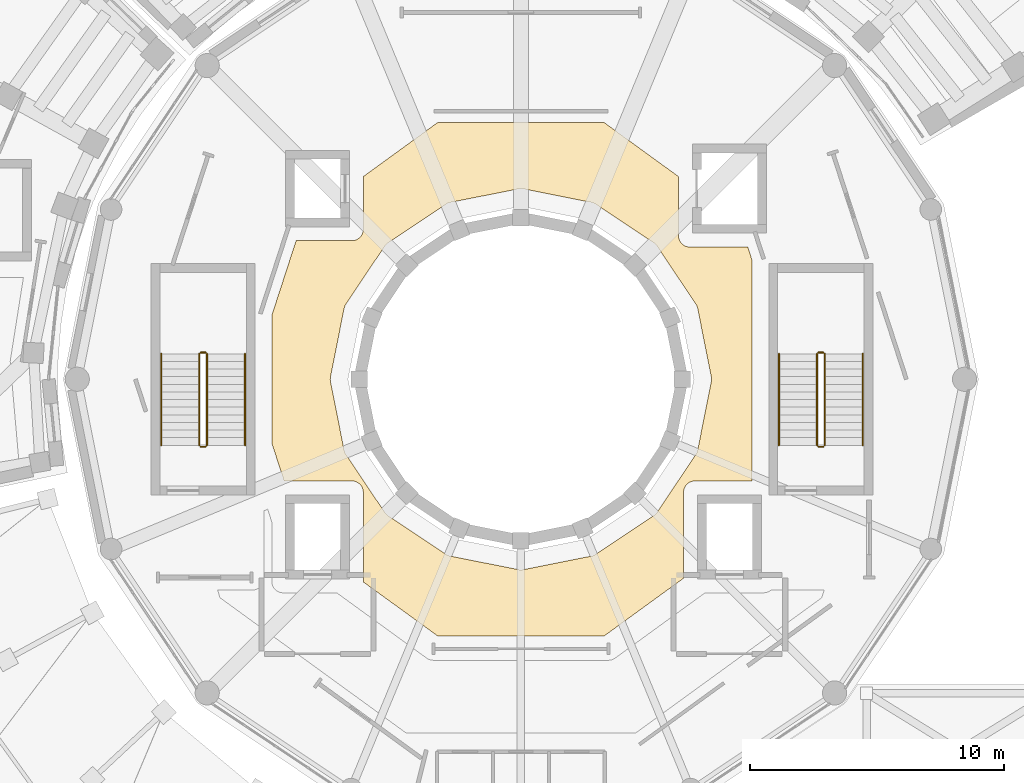
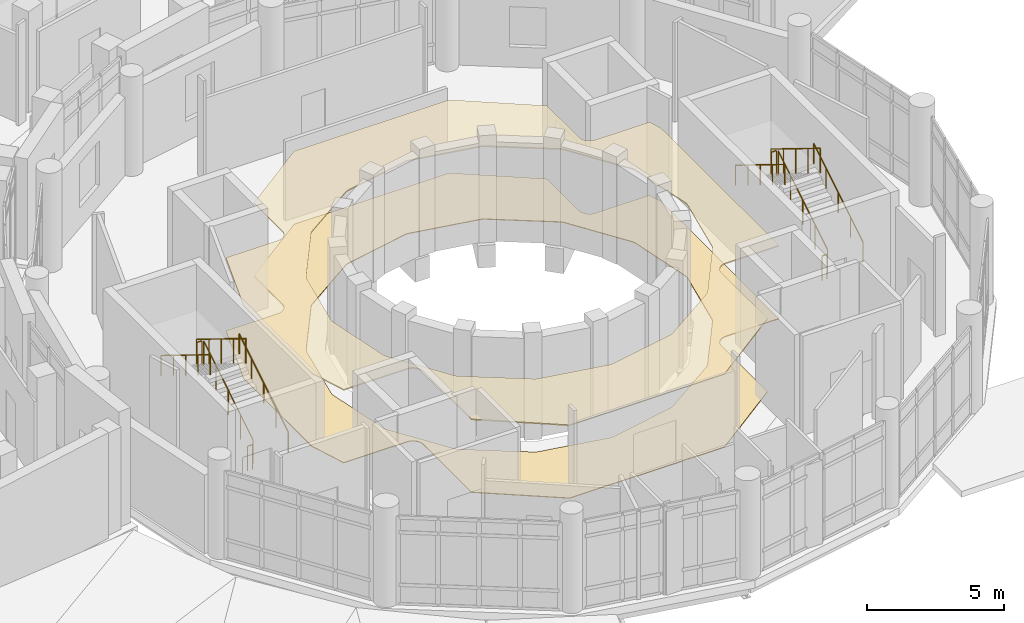
# One storey, part 63 of 75: 12 railings, 2 coverings.
"""IFC4 building model written with IfcOpenShell, lengths in metres."""

from ifc_helpers import new_model, si_unit, direction, frame, origin, origin_2d, place, context, subcontext, project, spatial, polyline, circle, outline, extrude, material, layer, layer_set, type_object, element, save


model = new_model("IFC4")

# Units and contexts
model_context = context("Model", 3, precision=1e-05, world=origin(), true_north=direction((0.0, 1.0)))
body_context = subcontext(model_context, "Body", "Model", "MODEL_VIEW")
ifc_project = project(units=[si_unit("LENGTHUNIT", "METRE"), si_unit("AREAUNIT", "SQUARE_METRE"), si_unit("VOLUMEUNIT", "CUBIC_METRE"), si_unit("PLANEANGLEUNIT", "RADIAN"), si_unit("MASSUNIT", "GRAM", prefix="KILO")], contexts=[model_context])

# Site, building, storey
site_placement = place(None, origin())
site = spatial("IfcSite", under=ifc_project, at=site_placement, CompositionType="ELEMENT")
building_placement = place(site_placement, origin())
building = spatial("IfcBuilding", under=site, at=building_placement, Name="Soyqirgoq Riverine Aquarium", CompositionType="ELEMENT")
storey_placement = place(building_placement, frame((0.0, 0.0, 10.199951171875)))
storey = spatial("IfcBuildingStorey", under=building, at=storey_placement, Name="L03", CompositionType="ELEMENT", Elevation=10.199951171875)

# Covering
ifc_material_1 = material(Name="Perforated mineral-fibre acoustic ceiling", Category="gypsum")
ifc_layer_1 = layer(ifc_material_1, 0.050048828125)
ifc_layer_set_1 = layer_set([ifc_layer_1], Name="Perforated mineral-fibre acoustic ceiling")
covering_type_1 = type_object("IfcCoveringType", Name="AcousticBaffleCeiling_50", PredefinedType="CEILING", material=ifc_layer_set_1)
covering_1_placement = place(storey_placement, frame((0.0, 0.0, 3.25)))
element("IfcCovering", 1, at=covering_1_placement, inside=storey, type_object=covering_type_1, Name="Kelp Canopy Viewing Terrace Room Suspended Ceiling", PredefinedType="CEILING", context=body_context, shape_type="SweptSolid", body=[
    extrude(outline(polyline([(46.199951171875, 54.49609375), (46.199951171875, 59.50390625), (47.156982421875, 62.449951171875), (49.35009765625, 62.449951171875), (49.39404296875, 62.451904296875), (49.43798828125, 62.458984375), (49.48095703125, 62.468994140625), (49.52197265625, 62.48388671875), (49.56201171875, 62.5029296875), (49.60009765625, 62.52587890625), (49.635009765625, 62.552001953125), (49.66796875, 62.58203125), (49.697998046875, 62.614990234375), (49.72412109375, 62.64990234375), (49.7470703125, 62.68798828125), (49.76611328125, 62.72802734375), (49.781005859375, 62.76904296875), (49.791015625, 62.81201171875), (49.798095703125, 62.85595703125), (49.800048828125, 62.89990234375), (49.800048828125, 64.972900390625), (52.719970703125, 67.093994140625), (59.280029296875, 67.093994140625), (62.199951171875, 64.972900390625), (62.199951171875, 62.64990234375), (62.201904296875, 62.60595703125), (62.208984375, 62.56201171875), (62.218994140625, 62.51904296875), (62.23388671875, 62.47802734375), (62.2529296875, 62.43798828125), (62.27587890625, 62.39990234375), (62.302001953125, 62.364990234375), (62.33203125, 62.33203125), (62.364990234375, 62.302001953125), (62.39990234375, 62.27587890625), (62.43798828125, 62.2529296875), (62.47802734375, 62.23388671875), (62.51904296875, 62.218994140625), (62.56201171875, 62.208984375), (62.60595703125, 62.201904296875), (62.64990234375, 62.199951171875), (64.924072265625, 62.199951171875), (65.10009765625, 61.658935546875), (65.10009765625, 53.0), (62.85009765625, 53.0), (62.805908203125, 52.998046875), (62.761962890625, 52.990966796875), (62.718994140625, 52.98095703125), (62.677978515625, 52.966064453125), (62.637939453125, 52.947021484375), (62.60009765625, 52.924072265625), (62.56494140625, 52.89794921875), (62.531982421875, 52.867919921875), (62.501953125, 52.8349609375), (62.47607421875, 52.800048828125), (62.452880859375, 52.761962890625), (62.43408203125, 52.721923828125), (62.4189453125, 52.680908203125), (62.408935546875, 52.637939453125), (62.402099609375, 52.593994140625), (62.39990234375, 52.550048828125), (62.39990234375, 49.173095703125), (59.280029296875, 46.906005859375), (52.719970703125, 46.906005859375), (49.799072265625, 49.028076171875), (49.800048828125, 49.050048828125), (49.800048828125, 52.550048828125), (49.798095703125, 52.593994140625), (49.791015625, 52.637939453125), (49.781005859375, 52.680908203125), (49.76611328125, 52.721923828125), (49.7470703125, 52.761962890625), (49.72412109375, 52.800048828125), (49.697998046875, 52.8349609375), (49.66796875, 52.867919921875), (49.635009765625, 52.89794921875), (49.60009765625, 52.924072265625), (49.56201171875, 52.947021484375), (49.52197265625, 52.966064453125), (49.48095703125, 52.98095703125), (49.43798828125, 52.990966796875), (49.39404296875, 52.998046875), (49.35009765625, 53.0), (46.68603515625, 53.0), (46.199951171875, 54.49609375)]), holes=[polyline([(62.955078125, 54.214111328125), (62.944091796875, 54.1708984375), (62.928955078125, 54.1298828125), (62.909912109375, 54.090087890625), (62.887939453125, 54.052001953125), (61.35888671875, 51.764892578125), (61.3330078125, 51.72900390625), (61.302978515625, 51.697021484375), (61.27099609375, 51.6669921875), (61.235107421875, 51.64111328125), (58.947998046875, 50.112060546875), (58.909912109375, 50.090087890625), (58.8701171875, 50.071044921875), (58.8291015625, 50.055908203125), (58.785888671875, 50.044921875), (56.087890625, 49.509033203125), (56.0439453125, 49.501953125), (56.0, 49.5), (55.9560546875, 49.501953125), (55.912109375, 49.509033203125), (53.214111328125, 50.044921875), (53.1708984375, 50.055908203125), (53.1298828125, 50.071044921875), (53.090087890625, 50.090087890625), (53.052001953125, 50.112060546875), (50.764892578125, 51.64111328125), (50.72900390625, 51.6669921875), (50.697021484375, 51.697021484375), (50.6669921875, 51.72900390625), (50.64111328125, 51.764892578125), (49.112060546875, 54.052001953125), (49.090087890625, 54.090087890625), (49.071044921875, 54.1298828125), (49.055908203125, 54.1708984375), (49.044921875, 54.214111328125), (48.509033203125, 56.912109375), (48.501953125, 56.9560546875), (48.5, 57.0), (48.501953125, 57.0439453125), (48.509033203125, 57.087890625), (49.044921875, 59.785888671875), (49.055908203125, 59.8291015625), (49.071044921875, 59.8701171875), (49.090087890625, 59.909912109375), (49.112060546875, 59.947998046875), (50.64111328125, 62.235107421875), (50.6669921875, 62.27099609375), (50.697021484375, 62.302978515625), (50.72900390625, 62.3330078125), (50.764892578125, 62.35888671875), (53.052001953125, 63.887939453125), (53.090087890625, 63.909912109375), (53.1298828125, 63.928955078125), (53.1708984375, 63.944091796875), (53.214111328125, 63.955078125), (55.912109375, 64.490966796875), (55.9560546875, 64.498046875), (56.0, 64.5), (56.0439453125, 64.498046875), (56.087890625, 64.490966796875), (58.785888671875, 63.955078125), (58.8291015625, 63.944091796875), (58.8701171875, 63.928955078125), (58.909912109375, 63.909912109375), (58.947998046875, 63.887939453125), (61.235107421875, 62.35888671875), (61.27099609375, 62.3330078125), (61.302978515625, 62.302978515625), (61.3330078125, 62.27099609375), (61.35888671875, 62.235107421875), (62.887939453125, 59.947998046875), (62.909912109375, 59.909912109375), (62.928955078125, 59.8701171875), (62.944091796875, 59.8291015625), (62.955078125, 59.785888671875), (63.490966796875, 57.087890625), (63.498046875, 57.0439453125), (63.5, 57.0), (63.498046875, 56.9560546875), (63.490966796875, 56.912109375), (62.955078125, 54.214111328125)])]), origin(), (0.0, 0.0, 1.0), 0.050048828125),
])

# Railings
ifc_material_2 = material(Name="Brushed stainless steel 316L tubular handrail", Category="steel")
railing_type_1 = type_object("IfcRailingType", Name="StairPitchHandrail_920", PredefinedType="HANDRAIL", material=ifc_material_2)
railing_1_placement = place(storey_placement, frame((69.449951171875, 54.39990234375, 0.1845703125)))
element("IfcRailing", 2, at=railing_1_placement, inside=storey, type_object=railing_type_1, Name="L03 ST-1 stair handrail 1", PredefinedType="HANDRAIL", context=body_context, shape_type="SweptSolid", body=[
    extrude(circle(Radius=0.02392578125, at=origin_2d()), frame((0.0, 0.0, 0.89990234375), z_axis=(0.0, 0.851644435552, 0.524119981868), x_axis=(-1.0, 0.0, 0.0)), (0.0, 0.0, 1.0), 4.227294921875),
    extrude(circle(Radius=0.02099609375, at=origin_2d()), origin(), (0.0, 0.0, 1.0), 0.875732421875),
    extrude(circle(Radius=0.02099609375, at=origin_2d()), frame((0.0, 0.89990234375, 0.553955078125)), (0.0, 0.0, 1.0), 0.875732421875),
    extrude(circle(Radius=0.02099609375, at=origin_2d()), frame((0.0, 1.800048828125, 1.10791015625)), (0.0, 0.0, 1.0), 0.875732421875),
    extrude(circle(Radius=0.02099609375, at=origin_2d()), frame((0.0, 2.7001953125, 1.66162109375)), (0.0, 0.0, 1.0), 0.875732421875),
    extrude(circle(Radius=0.02099609375, at=origin_2d()), frame((0.0, 3.60009765625, 2.215576171875)), (0.0, 0.0, 1.0), 0.875732421875),
])
railing_2_placement = place(storey_placement, frame((66.14990234375, 58.0, 2.584716796875)))
element("IfcRailing", 3, at=railing_2_placement, inside=storey, type_object=railing_type_1, Name="L03 ST-1 stair handrail 2", PredefinedType="HANDRAIL", context=body_context, shape_type="SweptSolid", body=[
    extrude(circle(Radius=0.02392578125, at=origin_2d()), frame((0.0, 0.0, 0.89990234375), z_axis=(0.0, -0.85167021472, 0.524078090897), x_axis=(1.0, 0.0, 0.0)), (0.0, 0.0, 1.0), 4.22705078125),
    extrude(circle(Radius=0.02099609375, at=origin_2d()), origin(), (0.0, 0.0, 1.0), 0.875732421875),
    extrude(circle(Radius=0.02099609375, at=origin_2d()), frame((0.0, -0.89990234375, 0.5537109375)), (0.0, 0.0, 1.0), 0.875732421875),
    extrude(circle(Radius=0.02099609375, at=origin_2d()), frame((0.0, -1.800048828125, 1.107666015625)), (0.0, 0.0, 1.0), 0.875732421875),
    extrude(circle(Radius=0.02099609375, at=origin_2d()), frame((0.0, -2.7001953125, 1.66162109375)), (0.0, 0.0, 1.0), 0.875732421875),
    extrude(circle(Radius=0.02099609375, at=origin_2d()), frame((0.0, -3.60009765625, 2.21533203125)), (0.0, 0.0, 1.0), 0.875732421875),
])
railing_3_placement = place(storey_placement, frame((45.14990234375, 54.39990234375, 0.1845703125)))
element("IfcRailing", 4, at=railing_3_placement, inside=storey, type_object=railing_type_1, Name="L03 ST-9 stair handrail 1", PredefinedType="HANDRAIL", context=body_context, shape_type="SweptSolid", body=[
    extrude(circle(Radius=0.02392578125, at=origin_2d()), frame((0.0, 0.0, 0.89990234375), z_axis=(0.0, 0.851644435552, 0.524119981868), x_axis=(-1.0, 0.0, 0.0)), (0.0, 0.0, 1.0), 4.227294921875),
    extrude(circle(Radius=0.02099609375, at=origin_2d()), origin(), (0.0, 0.0, 1.0), 0.875732421875),
    extrude(circle(Radius=0.02099609375, at=origin_2d()), frame((0.0, 0.89990234375, 0.553955078125)), (0.0, 0.0, 1.0), 0.875732421875),
    extrude(circle(Radius=0.02099609375, at=origin_2d()), frame((0.0, 1.800048828125, 1.10791015625)), (0.0, 0.0, 1.0), 0.875732421875),
    extrude(circle(Radius=0.02099609375, at=origin_2d()), frame((0.0, 2.7001953125, 1.66162109375)), (0.0, 0.0, 1.0), 0.875732421875),
    extrude(circle(Radius=0.02099609375, at=origin_2d()), frame((0.0, 3.60009765625, 2.215576171875)), (0.0, 0.0, 1.0), 0.875732421875),
])
railing_4_placement = place(storey_placement, frame((41.85009765625, 58.0, 2.584716796875)))
element("IfcRailing", 5, at=railing_4_placement, inside=storey, type_object=railing_type_1, Name="L03 ST-9 stair handrail 2", PredefinedType="HANDRAIL", context=body_context, shape_type="SweptSolid", body=[
    extrude(circle(Radius=0.02392578125, at=origin_2d()), frame((0.0, 0.0, 0.89990234375), z_axis=(0.0, -0.85167021472, 0.524078090897), x_axis=(1.0, 0.0, 0.0)), (0.0, 0.0, 1.0), 4.22705078125),
    extrude(circle(Radius=0.02099609375, at=origin_2d()), origin(), (0.0, 0.0, 1.0), 0.875732421875),
    extrude(circle(Radius=0.02099609375, at=origin_2d()), frame((0.0, -0.89990234375, 0.5537109375)), (0.0, 0.0, 1.0), 0.875732421875),
    extrude(circle(Radius=0.02099609375, at=origin_2d()), frame((0.0, -1.800048828125, 1.107666015625)), (0.0, 0.0, 1.0), 0.875732421875),
    extrude(circle(Radius=0.02099609375, at=origin_2d()), frame((0.0, -2.7001953125, 1.66162109375)), (0.0, 0.0, 1.0), 0.875732421875),
    extrude(circle(Radius=0.02099609375, at=origin_2d()), frame((0.0, -3.60009765625, 2.21533203125)), (0.0, 0.0, 1.0), 0.875732421875),
])
ifc_material_3 = material(Name="Painted steel infill stair-well guardrail", Category="steel")
railing_type_2 = type_object("IfcRailingType", Name="StairWellGuard_1120", PredefinedType="GUARDRAIL", material=ifc_material_3)
railing_5_placement = place(storey_placement, frame((67.949951171875, 54.39990234375, 0.1845703125)))
element("IfcRailing", 6, at=railing_5_placement, inside=storey, type_object=railing_type_2, Name="L03 ST-1 stair guard 1", PredefinedType="GUARDRAIL", context=body_context, shape_type="SweptSolid", body=[
    extrude(circle(Radius=0.02392578125, at=origin_2d()), frame((0.0, 0.0, 1.09619140625), z_axis=(0.0, 0.851644435552, 0.524119981868), x_axis=(-1.0, 0.0, 0.0)), (0.0, 0.0, 1.0), 4.227294921875),
    extrude(circle(Radius=0.02099609375, at=origin_2d()), origin(), (0.0, 0.0, 1.0), 1.072021484375),
    extrude(circle(Radius=0.02099609375, at=origin_2d()), frame((0.0, 0.89990234375, 0.553955078125)), (0.0, 0.0, 1.0), 1.072021484375),
    extrude(circle(Radius=0.02099609375, at=origin_2d()), frame((0.0, 1.800048828125, 1.10791015625)), (0.0, 0.0, 1.0), 1.072021484375),
    extrude(circle(Radius=0.02099609375, at=origin_2d()), frame((0.0, 2.7001953125, 1.66162109375)), (0.0, 0.0, 1.0), 1.072021484375),
    extrude(circle(Radius=0.02099609375, at=origin_2d()), frame((0.0, 3.60009765625, 2.215576171875)), (0.0, 0.0, 1.0), 1.072021484375),
])
railing_6_placement = place(storey_placement, frame((67.89990234375, 58.050048828125, 2.400146484375)))
element("IfcRailing", 7, at=railing_6_placement, inside=storey, type_object=railing_type_2, Name="L03 ST-1 stair guard 2", PredefinedType="GUARDRAIL", context=body_context, shape_type="SweptSolid", body=[
    extrude(circle(Radius=0.02392578125, at=origin_2d()), frame((0.0, 0.0, 1.09619140625), z_axis=(-1.0, 0.0, 0.0), x_axis=(0.0, -1.0, 0.0)), (0.0, 0.0, 1.0), 0.199951171875),
    extrude(circle(Radius=0.02099609375, at=origin_2d()), origin(), (0.0, 0.0, 1.0), 1.072021484375),
    extrude(circle(Radius=0.02099609375, at=origin_2d()), frame((-0.199951171875, 0.0, 0.0)), (0.0, 0.0, 1.0), 1.072021484375),
])
railing_7_placement = place(storey_placement, frame((67.64990234375, 58.0, 2.584716796875)))
element("IfcRailing", 8, at=railing_7_placement, inside=storey, type_object=railing_type_2, Name="L03 ST-1 stair guard 3", PredefinedType="GUARDRAIL", context=body_context, shape_type="SweptSolid", body=[
    extrude(circle(Radius=0.02392578125, at=origin_2d()), frame((0.0, 0.0, 1.09619140625), z_axis=(0.0, -0.85167021472, 0.524078090897), x_axis=(1.0, 0.0, 0.0)), (0.0, 0.0, 1.0), 4.22705078125),
    extrude(circle(Radius=0.02099609375, at=origin_2d()), origin(), (0.0, 0.0, 1.0), 1.072021484375),
    extrude(circle(Radius=0.02099609375, at=origin_2d()), frame((0.0, -0.89990234375, 0.5537109375)), (0.0, 0.0, 1.0), 1.072021484375),
    extrude(circle(Radius=0.02099609375, at=origin_2d()), frame((0.0, -1.800048828125, 1.107666015625)), (0.0, 0.0, 1.0), 1.072021484375),
    extrude(circle(Radius=0.02099609375, at=origin_2d()), frame((0.0, -2.7001953125, 1.66162109375)), (0.0, 0.0, 1.0), 1.072021484375),
    extrude(circle(Radius=0.02099609375, at=origin_2d()), frame((0.0, -3.60009765625, 2.21533203125)), (0.0, 0.0, 1.0), 1.072021484375),
])
railing_8_placement = place(storey_placement, frame((67.89990234375, 54.35009765625, 0.0)))
element("IfcRailing", 9, at=railing_8_placement, inside=storey, type_object=railing_type_2, Name="L03 ST-1 stair guard 4", PredefinedType="GUARDRAIL", context=body_context, shape_type="SweptSolid", body=[
    extrude(circle(Radius=0.02392578125, at=origin_2d()), frame((0.0, 0.0, 1.09619140625), z_axis=(-1.0, 0.0, 0.0), x_axis=(0.0, -1.0, 0.0)), (0.0, 0.0, 1.0), 0.199951171875),
    extrude(circle(Radius=0.02099609375, at=origin_2d()), origin(), (0.0, 0.0, 1.0), 1.072021484375),
    extrude(circle(Radius=0.02099609375, at=origin_2d()), frame((-0.199951171875, 0.0, 0.0)), (0.0, 0.0, 1.0), 1.072021484375),
])
railing_9_placement = place(storey_placement, frame((43.64990234375, 54.39990234375, 0.1845703125)))
element("IfcRailing", 10, at=railing_9_placement, inside=storey, type_object=railing_type_2, Name="L03 ST-9 stair guard 1", PredefinedType="GUARDRAIL", context=body_context, shape_type="SweptSolid", body=[
    extrude(circle(Radius=0.02392578125, at=origin_2d()), frame((0.0, 0.0, 1.09619140625), z_axis=(0.0, 0.851644435552, 0.524119981868), x_axis=(-1.0, 0.0, 0.0)), (0.0, 0.0, 1.0), 4.227294921875),
    extrude(circle(Radius=0.02099609375, at=origin_2d()), origin(), (0.0, 0.0, 1.0), 1.072021484375),
    extrude(circle(Radius=0.02099609375, at=origin_2d()), frame((0.0, 0.89990234375, 0.553955078125)), (0.0, 0.0, 1.0), 1.072021484375),
    extrude(circle(Radius=0.02099609375, at=origin_2d()), frame((0.0, 1.800048828125, 1.10791015625)), (0.0, 0.0, 1.0), 1.072021484375),
    extrude(circle(Radius=0.02099609375, at=origin_2d()), frame((0.0, 2.7001953125, 1.66162109375)), (0.0, 0.0, 1.0), 1.072021484375),
    extrude(circle(Radius=0.02099609375, at=origin_2d()), frame((0.0, 3.60009765625, 2.215576171875)), (0.0, 0.0, 1.0), 1.072021484375),
])
railing_10_placement = place(storey_placement, frame((43.60009765625, 58.050048828125, 2.400146484375)))
element("IfcRailing", 11, at=railing_10_placement, inside=storey, type_object=railing_type_2, Name="L03 ST-9 stair guard 2", PredefinedType="GUARDRAIL", context=body_context, shape_type="SweptSolid", body=[
    extrude(circle(Radius=0.02392578125, at=origin_2d()), frame((0.0, 0.0, 1.09619140625), z_axis=(-1.0, 0.0, 0.0), x_axis=(0.0, -1.0, 0.0)), (0.0, 0.0, 1.0), 0.2001953125),
    extrude(circle(Radius=0.02099609375, at=origin_2d()), origin(), (0.0, 0.0, 1.0), 1.072021484375),
    extrude(circle(Radius=0.02099609375, at=origin_2d()), frame((-0.2001953125, 0.0, 0.0)), (0.0, 0.0, 1.0), 1.072021484375),
])
railing_11_placement = place(storey_placement, frame((43.35009765625, 58.0, 2.584716796875)))
element("IfcRailing", 12, at=railing_11_placement, inside=storey, type_object=railing_type_2, Name="L03 ST-9 stair guard 3", PredefinedType="GUARDRAIL", context=body_context, shape_type="SweptSolid", body=[
    extrude(circle(Radius=0.02392578125, at=origin_2d()), frame((0.0, 0.0, 1.09619140625), z_axis=(0.0, -0.85167021472, 0.524078090897), x_axis=(1.0, 0.0, 0.0)), (0.0, 0.0, 1.0), 4.22705078125),
    extrude(circle(Radius=0.02099609375, at=origin_2d()), origin(), (0.0, 0.0, 1.0), 1.072021484375),
    extrude(circle(Radius=0.02099609375, at=origin_2d()), frame((0.0, -0.89990234375, 0.5537109375)), (0.0, 0.0, 1.0), 1.072021484375),
    extrude(circle(Radius=0.02099609375, at=origin_2d()), frame((0.0, -1.800048828125, 1.107666015625)), (0.0, 0.0, 1.0), 1.072021484375),
    extrude(circle(Radius=0.02099609375, at=origin_2d()), frame((0.0, -2.7001953125, 1.66162109375)), (0.0, 0.0, 1.0), 1.072021484375),
    extrude(circle(Radius=0.02099609375, at=origin_2d()), frame((0.0, -3.60009765625, 2.21533203125)), (0.0, 0.0, 1.0), 1.072021484375),
])
railing_12_placement = place(storey_placement, frame((43.60009765625, 54.35009765625, 0.0)))
element("IfcRailing", 13, at=railing_12_placement, inside=storey, type_object=railing_type_2, Name="L03 ST-9 stair guard 4", PredefinedType="GUARDRAIL", context=body_context, shape_type="SweptSolid", body=[
    extrude(circle(Radius=0.02392578125, at=origin_2d()), frame((0.0, 0.0, 1.09619140625), z_axis=(-1.0, 0.0, 0.0), x_axis=(0.0, -1.0, 0.0)), (0.0, 0.0, 1.0), 0.2001953125),
    extrude(circle(Radius=0.02099609375, at=origin_2d()), origin(), (0.0, 0.0, 1.0), 1.072021484375),
    extrude(circle(Radius=0.02099609375, at=origin_2d()), frame((-0.2001953125, 0.0, 0.0)), (0.0, 0.0, 1.0), 1.072021484375),
])

# Covering
ifc_material_4 = material(Name="Polished Chirchiq river-pebble terrazzo flooring", Category="concrete")
ifc_layer_2 = layer(ifc_material_4, 0.030029296875)
ifc_layer_set_2 = layer_set([ifc_layer_2], Name="Polished Chirchiq river-pebble terrazzo flooring")
covering_type_2 = type_object("IfcCoveringType", Name="TerrazzoFloorFinish_30", PredefinedType="FLOORING", material=ifc_layer_set_2)
covering_2_placement = place(storey_placement, origin())
element("IfcCovering", 14, at=covering_2_placement, inside=storey, type_object=covering_type_2, Name="Kelp Canopy Viewing Terrace Room Floor Finish", PredefinedType="FLOORING", context=body_context, shape_type="SweptSolid", body=[
    extrude(outline(polyline([(46.199951171875, 54.49609375), (46.199951171875, 59.50390625), (47.156982421875, 62.449951171875), (49.35009765625, 62.449951171875), (49.39404296875, 62.451904296875), (49.43798828125, 62.458984375), (49.48095703125, 62.468994140625), (49.52197265625, 62.48388671875), (49.56201171875, 62.5029296875), (49.60009765625, 62.52587890625), (49.635009765625, 62.552001953125), (49.66796875, 62.58203125), (49.697998046875, 62.614990234375), (49.72412109375, 62.64990234375), (49.7470703125, 62.68798828125), (49.76611328125, 62.72802734375), (49.781005859375, 62.76904296875), (49.791015625, 62.81201171875), (49.798095703125, 62.85595703125), (49.800048828125, 62.89990234375), (49.800048828125, 64.972900390625), (52.719970703125, 67.093994140625), (59.280029296875, 67.093994140625), (62.199951171875, 64.972900390625), (62.199951171875, 62.64990234375), (62.201904296875, 62.60595703125), (62.208984375, 62.56201171875), (62.218994140625, 62.51904296875), (62.23388671875, 62.47802734375), (62.2529296875, 62.43798828125), (62.27587890625, 62.39990234375), (62.302001953125, 62.364990234375), (62.33203125, 62.33203125), (62.364990234375, 62.302001953125), (62.39990234375, 62.27587890625), (62.43798828125, 62.2529296875), (62.47802734375, 62.23388671875), (62.51904296875, 62.218994140625), (62.56201171875, 62.208984375), (62.60595703125, 62.201904296875), (62.64990234375, 62.199951171875), (64.924072265625, 62.199951171875), (65.10009765625, 61.658935546875), (65.10009765625, 53.0), (62.85009765625, 53.0), (62.805908203125, 52.998046875), (62.761962890625, 52.990966796875), (62.718994140625, 52.98095703125), (62.677978515625, 52.966064453125), (62.637939453125, 52.947021484375), (62.60009765625, 52.924072265625), (62.56494140625, 52.89794921875), (62.531982421875, 52.867919921875), (62.501953125, 52.8349609375), (62.47607421875, 52.800048828125), (62.452880859375, 52.761962890625), (62.43408203125, 52.721923828125), (62.4189453125, 52.680908203125), (62.408935546875, 52.637939453125), (62.402099609375, 52.593994140625), (62.39990234375, 52.550048828125), (62.39990234375, 49.173095703125), (59.280029296875, 46.906005859375), (52.719970703125, 46.906005859375), (49.799072265625, 49.028076171875), (49.800048828125, 49.050048828125), (49.800048828125, 52.550048828125), (49.798095703125, 52.593994140625), (49.791015625, 52.637939453125), (49.781005859375, 52.680908203125), (49.76611328125, 52.721923828125), (49.7470703125, 52.761962890625), (49.72412109375, 52.800048828125), (49.697998046875, 52.8349609375), (49.66796875, 52.867919921875), (49.635009765625, 52.89794921875), (49.60009765625, 52.924072265625), (49.56201171875, 52.947021484375), (49.52197265625, 52.966064453125), (49.48095703125, 52.98095703125), (49.43798828125, 52.990966796875), (49.39404296875, 52.998046875), (49.35009765625, 53.0), (46.68603515625, 53.0), (46.199951171875, 54.49609375)]), holes=[polyline([(62.955078125, 54.214111328125), (62.944091796875, 54.1708984375), (62.928955078125, 54.1298828125), (62.909912109375, 54.090087890625), (62.887939453125, 54.052001953125), (61.35888671875, 51.764892578125), (61.3330078125, 51.72900390625), (61.302978515625, 51.697021484375), (61.27099609375, 51.6669921875), (61.235107421875, 51.64111328125), (58.947998046875, 50.112060546875), (58.909912109375, 50.090087890625), (58.8701171875, 50.071044921875), (58.8291015625, 50.055908203125), (58.785888671875, 50.044921875), (56.087890625, 49.509033203125), (56.0439453125, 49.501953125), (56.0, 49.5), (55.9560546875, 49.501953125), (55.912109375, 49.509033203125), (53.214111328125, 50.044921875), (53.1708984375, 50.055908203125), (53.1298828125, 50.071044921875), (53.090087890625, 50.090087890625), (53.052001953125, 50.112060546875), (50.764892578125, 51.64111328125), (50.72900390625, 51.6669921875), (50.697021484375, 51.697021484375), (50.6669921875, 51.72900390625), (50.64111328125, 51.764892578125), (49.112060546875, 54.052001953125), (49.090087890625, 54.090087890625), (49.071044921875, 54.1298828125), (49.055908203125, 54.1708984375), (49.044921875, 54.214111328125), (48.509033203125, 56.912109375), (48.501953125, 56.9560546875), (48.5, 57.0), (48.501953125, 57.0439453125), (48.509033203125, 57.087890625), (49.044921875, 59.785888671875), (49.055908203125, 59.8291015625), (49.071044921875, 59.8701171875), (49.090087890625, 59.909912109375), (49.112060546875, 59.947998046875), (50.64111328125, 62.235107421875), (50.6669921875, 62.27099609375), (50.697021484375, 62.302978515625), (50.72900390625, 62.3330078125), (50.764892578125, 62.35888671875), (53.052001953125, 63.887939453125), (53.090087890625, 63.909912109375), (53.1298828125, 63.928955078125), (53.1708984375, 63.944091796875), (53.214111328125, 63.955078125), (55.912109375, 64.490966796875), (55.9560546875, 64.498046875), (56.0, 64.5), (56.0439453125, 64.498046875), (56.087890625, 64.490966796875), (58.785888671875, 63.955078125), (58.8291015625, 63.944091796875), (58.8701171875, 63.928955078125), (58.909912109375, 63.909912109375), (58.947998046875, 63.887939453125), (61.235107421875, 62.35888671875), (61.27099609375, 62.3330078125), (61.302978515625, 62.302978515625), (61.3330078125, 62.27099609375), (61.35888671875, 62.235107421875), (62.887939453125, 59.947998046875), (62.909912109375, 59.909912109375), (62.928955078125, 59.8701171875), (62.944091796875, 59.8291015625), (62.955078125, 59.785888671875), (63.490966796875, 57.087890625), (63.498046875, 57.0439453125), (63.5, 57.0), (63.498046875, 56.9560546875), (63.490966796875, 56.912109375), (62.955078125, 54.214111328125)])]), origin(), (0.0, 0.0, 1.0), 0.030029296875),
])

save(model, "model.ifc")
